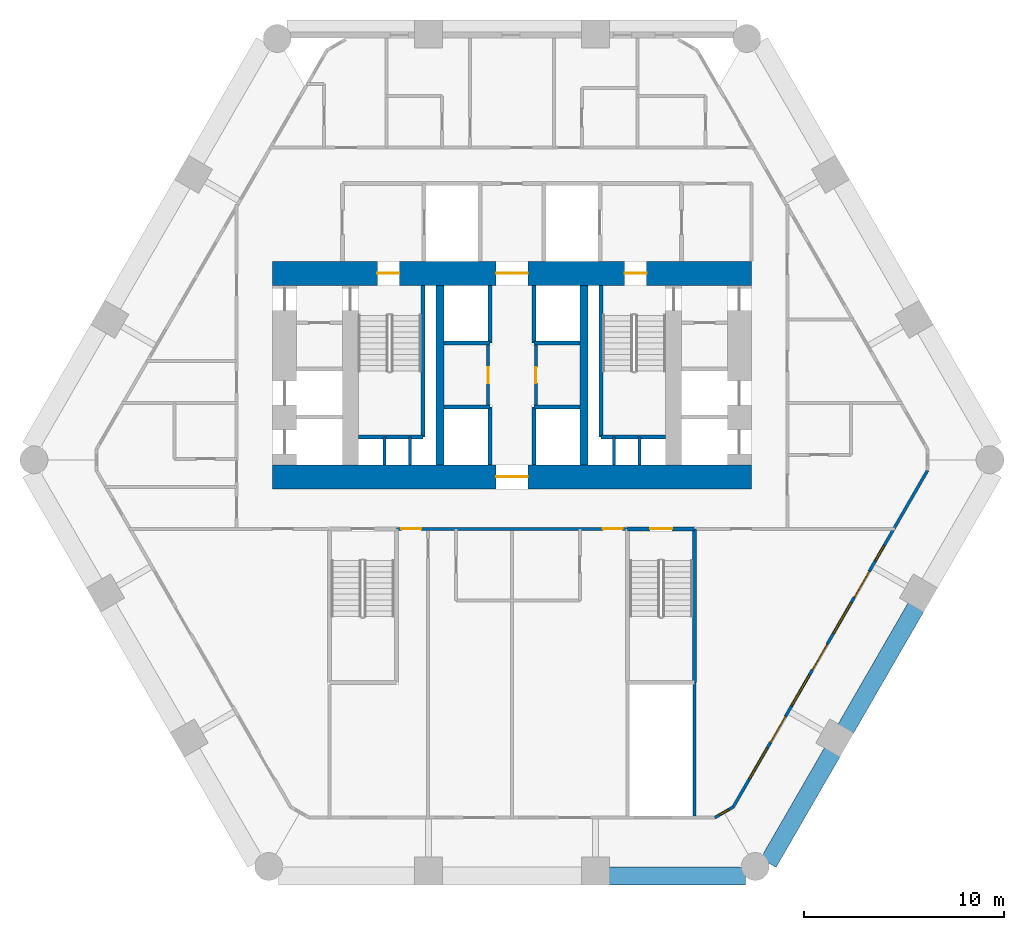
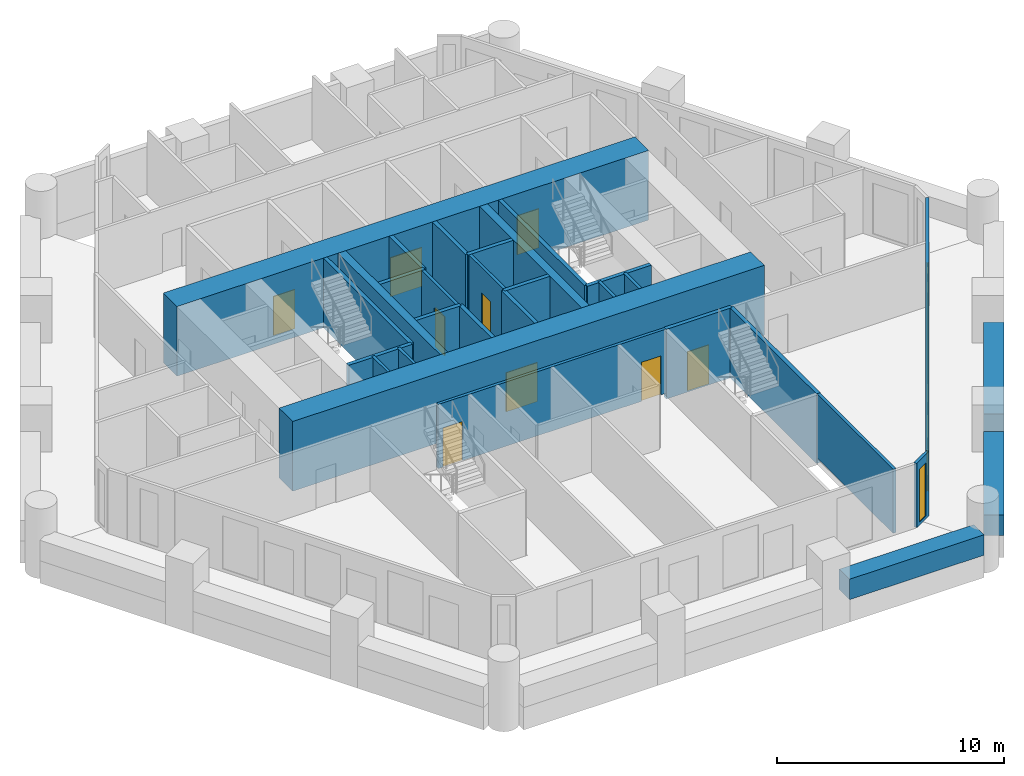
# One storey, part 4 of 8: 31 walls, 12 doors, 5 windows, 17 openings.
"""IFC4 building model written with IfcOpenShell, lengths in metres."""

from ifc_helpers import new_model, si_unit, direction, frame, frame_2d, origin, place, context, subcontext, project, spatial, rectangle, extrude, material, layer, layer_set, type_object, element, fill, save


model = new_model("IFC4")

# Units and contexts
model_context = context("Model", 3, precision=1e-05, world=origin(), true_north=direction((0.0, 1.0)))
body_context = subcontext(model_context, "Body", "Model", "MODEL_VIEW")
ifc_project = project(units=[si_unit("LENGTHUNIT", "METRE"), si_unit("AREAUNIT", "SQUARE_METRE"), si_unit("VOLUMEUNIT", "CUBIC_METRE"), si_unit("PLANEANGLEUNIT", "RADIAN"), si_unit("MASSUNIT", "GRAM", prefix="KILO")], contexts=[model_context])

# Site, building, storey
site_placement = place(None, origin())
site = spatial("IfcSite", under=ifc_project, at=site_placement, CompositionType="ELEMENT")
building_placement = place(site_placement, origin())
building = spatial("IfcBuilding", under=site, at=building_placement, Name="Ostrander Bayou Hotel Tower", CompositionType="ELEMENT")
storey_placement = place(building_placement, frame((0.0, 0.0, 43.0)))
storey = spatial("IfcBuildingStorey", under=building, at=storey_placement, Name="L10", CompositionType="ELEMENT", Elevation=43.0)

# Wall, opening, door
ifc_material_1 = material(Name="Concrete f'c 70 MPa", Category="concrete")
ifc_layer_1 = layer(ifc_material_1, 1.199951171875)
ifc_layer_set_1 = layer_set([ifc_layer_1], Name="CW1 core wall 1200 mm f'c 70 MPa")
wall_type_1 = type_object("IfcWallType", Name="CW1 core wall 1200 mm f'c 70 MPa", PredefinedType="SHEAR", material=ifc_layer_set_1)
wall_1_placement = place(storey_placement, frame((-12.0, -1.10009765625, -0.300048828125), z_axis=(0.0, 0.0, 1.0), x_axis=(1.0, 0.0, 0.0)))
wall_1 = element("IfcWall", 1, at=wall_1_placement, inside=storey, type_object=wall_type_1, Name="CW1 L10 S", PredefinedType="SHEAR", context=body_context, shape_type="SweptSolid", body=[
    extrude(rectangle(XDim=24.0, YDim=1.199951171875, at=frame_2d((12.0, 0.0))), origin(), (0.0, 0.0, 1.0), 3.75),
])
opening_1_placement = place(wall_1_placement, frame((11.199951171875, 0.0, 0.0)))
opening_1 = element("IfcOpeningElement", 2, at=opening_1_placement, cuts=wall_1, Name="Opening T09-001", PredefinedType="OPENING", context=body_context, shape_type="SweptSolid", body=[
    extrude(rectangle(XDim=1.60009765625, YDim=2.10009765625, at=frame_2d((0.800048828125, 1.050048828125))), frame((0.0, 0.60009765625, 0.0), z_axis=(0.0, -1.0, 0.0), x_axis=(1.0, 0.0, 0.0)), (0.0, 0.0, 1.0), 1.199951171875),
])
ifc_material_2 = material(Name="Timber door leaf", Category="wood")
door_type_1 = type_object("IfcDoorType", Name="D13 double door 1600 x 2100 mm, 1 hour", OperationType="SINGLE_SWING_LEFT", PredefinedType="DOOR", material=ifc_material_2)
door_1_placement = place(opening_1_placement, origin())
door_1 = element("IfcDoor", 3, at=door_1_placement, inside=storey, type_object=door_type_1, Name="dr:L10:001", OperationType="DOUBLE_DOOR_SINGLE_SWING", OverallHeight=2.10009765625, OverallWidth=1.60009765625, PredefinedType="DOOR", context=body_context, shape_type="SweptSolid", body=[
    extrude(rectangle(XDim=1.60009765625, YDim=2.10009765625, at=frame_2d((0.800048828125, 1.050048828125))), frame((0.0, 0.02490234375, 0.0), z_axis=(0.0, -1.0, 0.0), x_axis=(1.0, 0.0, 0.0)), (0.0, 0.0, 1.0), 0.050048828125),
])
fill(opening_1, door_1)

# Wall, openings, doors
wall_2_placement = place(storey_placement, frame((-12.0, 9.10009765625, -0.300048828125), z_axis=(0.0, 0.0, 1.0), x_axis=(1.0, 0.0, 0.0)))
wall_2 = element("IfcWall", 4, at=wall_2_placement, inside=storey, type_object=wall_type_1, Name="CW1 L10 N", PredefinedType="SHEAR", context=body_context, shape_type="SweptSolid", body=[
    extrude(rectangle(XDim=24.0, YDim=1.199951171875, at=frame_2d((12.0, 0.0))), origin(), (0.0, 0.0, 1.0), 3.75),
])
opening_2_placement = place(wall_2_placement, frame((11.199951171875, 0.0, 0.0)))
opening_2 = element("IfcOpeningElement", 5, at=opening_2_placement, cuts=wall_2, Name="Opening T09-002", PredefinedType="OPENING", context=body_context, shape_type="SweptSolid", body=[
    extrude(rectangle(XDim=1.60009765625, YDim=2.10009765625, at=frame_2d((0.800048828125, 1.050048828125))), frame((0.0, 0.60009765625, 0.0), z_axis=(0.0, -1.0, 0.0), x_axis=(1.0, 0.0, 0.0)), (0.0, 0.0, 1.0), 1.199951171875),
])
opening_3_placement = place(wall_2_placement, frame((5.25, 0.0, 0.0)))
opening_3 = element("IfcOpeningElement", 6, at=opening_3_placement, cuts=wall_2, Name="Opening T09-003", PredefinedType="OPENING", context=body_context, shape_type="SweptSolid", body=[
    extrude(rectangle(XDim=1.10009765625, YDim=2.10009765625, at=frame_2d((0.550048828125, 1.050048828125))), frame((0.0, 0.60009765625, 0.0), z_axis=(0.0, -1.0, 0.0), x_axis=(1.0, 0.0, 0.0)), (0.0, 0.0, 1.0), 1.199951171875),
])
opening_4_placement = place(wall_2_placement, frame((17.64990234375, 0.0, 0.0)))
opening_4 = element("IfcOpeningElement", 7, at=opening_4_placement, cuts=wall_2, Name="Opening T09-005", PredefinedType="OPENING", context=body_context, shape_type="SweptSolid", body=[
    extrude(rectangle(XDim=1.10009765625, YDim=2.10009765625, at=frame_2d((0.550048828125, 1.050048828125))), frame((0.0, 0.60009765625, 0.0), z_axis=(0.0, -1.0, 0.0), x_axis=(1.0, 0.0, 0.0)), (0.0, 0.0, 1.0), 1.199951171875),
])
door_2_placement = place(opening_2_placement, origin())
door_2 = element("IfcDoor", 8, at=door_2_placement, inside=storey, type_object=door_type_1, Name="dr:L10:002", OperationType="DOUBLE_DOOR_SINGLE_SWING", OverallHeight=2.10009765625, OverallWidth=1.60009765625, PredefinedType="DOOR", context=body_context, shape_type="SweptSolid", body=[
    extrude(rectangle(XDim=1.60009765625, YDim=2.10009765625, at=frame_2d((0.800048828125, 1.050048828125))), frame((0.0, 0.02490234375, 0.0), z_axis=(0.0, -1.0, 0.0), x_axis=(1.0, 0.0, 0.0)), (0.0, 0.0, 1.0), 0.050048828125),
])
fill(opening_2, door_2)
ifc_material_3 = material(Name="Timber door leaf", Category="wood")
door_type_2 = type_object("IfcDoorType", Name="D5 stair door 1100 x 2100 mm, 90 minute", OperationType="SINGLE_SWING_LEFT", PredefinedType="DOOR", material=ifc_material_3)
door_3_placement = place(opening_3_placement, origin())
door_3 = element("IfcDoor", 9, at=door_3_placement, inside=storey, type_object=door_type_2, Name="dr:L10:003", OperationType="SINGLE_SWING_LEFT", OverallHeight=2.10009765625, OverallWidth=1.10009765625, PredefinedType="DOOR", context=body_context, shape_type="SweptSolid", body=[
    extrude(rectangle(XDim=1.10009765625, YDim=2.10009765625, at=frame_2d((0.550048828125, 1.050048828125))), frame((0.0, 0.02490234375, 0.0), z_axis=(0.0, -1.0, 0.0), x_axis=(1.0, 0.0, 0.0)), (0.0, 0.0, 1.0), 0.050048828125),
])
fill(opening_3, door_3)
door_4_placement = place(opening_4_placement, origin())
door_4 = element("IfcDoor", 10, at=door_4_placement, inside=storey, type_object=door_type_2, Name="dr:L10:005", OperationType="SINGLE_SWING_RIGHT", OverallHeight=2.10009765625, OverallWidth=1.10009765625, PredefinedType="DOOR", context=body_context, shape_type="SweptSolid", body=[
    extrude(rectangle(XDim=1.10009765625, YDim=2.10009765625, at=frame_2d((0.550048828125, 1.050048828125))), frame((0.0, 0.02490234375, 0.0), z_axis=(0.0, -1.0, 0.0), x_axis=(1.0, 0.0, 0.0)), (0.0, 0.0, 1.0), 0.050048828125),
])
fill(opening_4, door_4)

# Walls
ifc_material_4 = material(Name="Concrete f'c 70 MPa", Category="concrete")
ifc_layer_2 = layer(ifc_material_4, 0.39990234375)
ifc_layer_set_2 = layer_set([ifc_layer_2], Name="CW3 core bank wall 400 mm f'c 70 MPa")
wall_type_2 = type_object("IfcWallType", Name="CW3 core bank wall 400 mm f'c 70 MPa", PredefinedType="SHEAR", material=ifc_layer_set_2)
for number, where, z_axis, x_axis, name in (
    (11, (-3.60009765625, -0.5, -0.300048828125), (0.0, 0.0, 1.0), (0.0, 1.0, 0.0), "CW3 L10 CW"),
    (12, (3.60009765625, -0.5, -0.300048828125), (0.0, 0.0, 1.0), (0.0, 1.0, 0.0), "CW3 L10 CE"),
):
    element("IfcWall", number, at=place(storey_placement, frame(where, z_axis=z_axis, x_axis=x_axis)), inside=storey, type_object=wall_type_2, Name=name, PredefinedType="SHEAR", context=body_context, shape_type="SweptSolid", body=[
        extrude(rectangle(XDim=9.0, YDim=0.39990234375, at=frame_2d((4.5, 0.0))), origin(), (0.0, 0.0, 1.0), 3.75),
    ])

# Wall, openings, doors, windows
ifc_material_5 = material(Name="Aluminium framed insulated wall", Category="aluminium")
ifc_layer_3 = layer(ifc_material_5, 0.14990234375)
ifc_layer_set_3 = layer_set([ifc_layer_3], Name="GW1 glass-line wall 150 mm")
wall_type_3 = type_object("IfcWallType", Name="GW1 glass-line wall 150 mm", PredefinedType="SOLIDWALL", material=ifc_layer_set_3)
wall_3_placement = place(storey_placement, frame((11.0869140625, -17.64697265625, 0.0), z_axis=(0.0, 0.0, 1.0), x_axis=(0.499999841607, 0.866025495233, 0.0)))
wall_3 = element("IfcWall", 13, at=wall_3_placement, inside=storey, type_object=wall_type_3, Name="GW1 L10 SE 1", PredefinedType="SOLIDWALL", context=body_context, shape_type="SweptSolid", body=[
    extrude(rectangle(XDim=19.478515625, YDim=0.14990234375, at=frame_2d((9.7392578125, 0.0))), origin(), (0.0, 0.0, 1.0), 3.449951171875),
])
opening_5_placement = place(wall_3_placement, frame((1.639404296875, 0.0, 0.14990234375)))
opening_5 = element("IfcOpeningElement", 14, at=opening_5_placement, cuts=wall_3, Name="Opening W1", PredefinedType="OPENING", context=body_context, shape_type="SweptSolid", body=[
    extrude(rectangle(XDim=1.800048828125, YDim=2.85009765625, at=frame_2d((0.89990234375, 1.425048828125))), frame((0.0, 0.074951171875, 0.0), z_axis=(0.0, -1.0, 0.0), x_axis=(1.0, 0.0, 0.0)), (0.0, 0.0, 1.0), 0.14990234375),
])
opening_6_placement = place(wall_3_placement, frame((3.7392578125, 0.0, 0.0)))
opening_6 = element("IfcOpeningElement", 15, at=opening_6_placement, cuts=wall_3, Name="Opening T09-805", PredefinedType="OPENING", context=body_context, shape_type="SweptSolid", body=[
    extrude(rectangle(XDim=1.5, YDim=2.39990234375, at=frame_2d((0.75, 1.199951171875))), frame((0.0, 0.074951171875, 0.0), z_axis=(0.0, -1.0, 0.0), x_axis=(1.0, 0.0, 0.0)), (0.0, 0.0, 1.0), 0.14990234375),
])
opening_7_placement = place(wall_3_placement, frame((5.83935546875, 0.0, 0.14990234375)))
opening_7 = element("IfcOpeningElement", 16, at=opening_7_placement, cuts=wall_3, Name="Opening W1", PredefinedType="OPENING", context=body_context, shape_type="SweptSolid", body=[
    extrude(rectangle(XDim=1.800048828125, YDim=2.85009765625, at=frame_2d((0.89990234375, 1.425048828125))), frame((0.0, 0.074951171875, 0.0), z_axis=(0.0, -1.0, 0.0), x_axis=(1.0, 0.0, 0.0)), (0.0, 0.0, 1.0), 0.14990234375),
])
opening_8_placement = place(wall_3_placement, frame((7.939208984375, 0.0, 0.0)))
opening_8 = element("IfcOpeningElement", 17, at=opening_8_placement, cuts=wall_3, Name="Opening T09-806", PredefinedType="OPENING", context=body_context, shape_type="SweptSolid", body=[
    extrude(rectangle(XDim=1.5, YDim=2.39990234375, at=frame_2d((0.75, 1.199951171875))), frame((0.0, 0.074951171875, 0.0), z_axis=(0.0, -1.0, 0.0), x_axis=(1.0, 0.0, 0.0)), (0.0, 0.0, 1.0), 0.14990234375),
])
opening_9_placement = place(wall_3_placement, frame((10.039306640625, 0.0, 0.14990234375)))
opening_9 = element("IfcOpeningElement", 18, at=opening_9_placement, cuts=wall_3, Name="Opening W1", PredefinedType="OPENING", context=body_context, shape_type="SweptSolid", body=[
    extrude(rectangle(XDim=1.800048828125, YDim=2.85009765625, at=frame_2d((0.89990234375, 1.425048828125))), frame((0.0, 0.074951171875, 0.0), z_axis=(0.0, -1.0, 0.0), x_axis=(1.0, 0.0, 0.0)), (0.0, 0.0, 1.0), 0.14990234375),
])
opening_10_placement = place(wall_3_placement, frame((12.139404296875, 0.0, 0.0)))
opening_10 = element("IfcOpeningElement", 19, at=opening_10_placement, cuts=wall_3, Name="Opening T09-807", PredefinedType="OPENING", context=body_context, shape_type="SweptSolid", body=[
    extrude(rectangle(XDim=1.5, YDim=2.39990234375, at=frame_2d((0.75, 1.199951171875))), frame((0.0, 0.074951171875, 0.0), z_axis=(0.0, -1.0, 0.0), x_axis=(1.0, 0.0, 0.0)), (0.0, 0.0, 1.0), 0.14990234375),
])
opening_11_placement = place(wall_3_placement, frame((14.2392578125, 0.0, 0.14990234375)))
opening_11 = element("IfcOpeningElement", 20, at=opening_11_placement, cuts=wall_3, Name="Opening W15", PredefinedType="OPENING", context=body_context, shape_type="SweptSolid", body=[
    extrude(rectangle(XDim=0.89990234375, YDim=2.85009765625, at=frame_2d((0.449951171875, 1.425048828125))), frame((0.0, 0.074951171875, 0.0), z_axis=(0.0, -1.0, 0.0), x_axis=(1.0, 0.0, 0.0)), (0.0, 0.0, 1.0), 0.14990234375),
])
ifc_material_6 = material(Name="Aluminium and clear glass", Category="aluminium")
door_type_3 = type_object("IfcDoorType", Name="SD1 sliding glass door 1500 mm, zone 1", OperationType="SLIDING_TO_LEFT", PredefinedType="DOOR", material=ifc_material_6)
door_5_placement = place(opening_6_placement, origin())
door_5 = element("IfcDoor", 21, at=door_5_placement, inside=storey, type_object=door_type_3, Name="SD1 L10 SE 1", OperationType="SLIDING_TO_LEFT", OverallHeight=2.39990234375, OverallWidth=1.5, PredefinedType="DOOR", context=body_context, shape_type="SweptSolid", body=[
    extrude(rectangle(XDim=1.5, YDim=2.39990234375, at=frame_2d((0.75, 1.199951171875))), frame((0.0, 0.02490234375, 0.0), z_axis=(0.0, -1.0, 0.0), x_axis=(1.0, 0.0, 0.0)), (0.0, 0.0, 1.0), 0.050048828125),
])
fill(opening_6, door_5)
door_6_placement = place(opening_8_placement, origin())
door_6 = element("IfcDoor", 22, at=door_6_placement, inside=storey, type_object=door_type_3, Name="SD1 L10 SE 2", OperationType="SLIDING_TO_RIGHT", OverallHeight=2.39990234375, OverallWidth=1.5, PredefinedType="DOOR", context=body_context, shape_type="SweptSolid", body=[
    extrude(rectangle(XDim=1.5, YDim=2.39990234375, at=frame_2d((0.75, 1.199951171875))), frame((0.0, 0.02490234375, 0.0), z_axis=(0.0, -1.0, 0.0), x_axis=(1.0, 0.0, 0.0)), (0.0, 0.0, 1.0), 0.050048828125),
])
fill(opening_8, door_6)
door_7_placement = place(opening_10_placement, origin())
door_7 = element("IfcDoor", 23, at=door_7_placement, inside=storey, type_object=door_type_3, Name="SD1 L10 SE 3", OperationType="SLIDING_TO_LEFT", OverallHeight=2.39990234375, OverallWidth=1.5, PredefinedType="DOOR", context=body_context, shape_type="SweptSolid", body=[
    extrude(rectangle(XDim=1.5, YDim=2.39990234375, at=frame_2d((0.75, 1.199951171875))), frame((0.0, 0.02490234375, 0.0), z_axis=(0.0, -1.0, 0.0), x_axis=(1.0, 0.0, 0.0)), (0.0, 0.0, 1.0), 0.050048828125),
])
fill(opening_10, door_7)
ifc_material_7 = material(Name="Aluminium and clear glass", Category="aluminium")
window_type_1 = type_object("IfcWindowType", Name="W1 fixed window 1800 mm, zone 1", PartitioningType="SINGLE_PANEL", PredefinedType="WINDOW", material=ifc_material_7)
window_1_placement = place(opening_5_placement, origin())
window_1 = element("IfcWindow", 24, at=window_1_placement, inside=storey, type_object=window_type_1, Name="W1 L10 SE 1", OverallHeight=2.85009765625, OverallWidth=1.800048828125, PartitioningType="SINGLE_PANEL", PredefinedType="WINDOW", context=body_context, shape_type="SweptSolid", body=[
    extrude(rectangle(XDim=1.800048828125, YDim=2.85009765625, at=frame_2d((0.89990234375, 1.425048828125))), frame((0.0, 0.030029296875, 0.0), z_axis=(0.0, -1.0, 0.0), x_axis=(1.0, 0.0, 0.0)), (0.0, 0.0, 1.0), 0.06005859375),
])
fill(opening_5, window_1)
window_2_placement = place(opening_7_placement, origin())
window_2 = element("IfcWindow", 25, at=window_2_placement, inside=storey, type_object=window_type_1, Name="W1 L10 SE 2", OverallHeight=2.85009765625, OverallWidth=1.800048828125, PartitioningType="SINGLE_PANEL", PredefinedType="WINDOW", context=body_context, shape_type="SweptSolid", body=[
    extrude(rectangle(XDim=1.800048828125, YDim=2.85009765625, at=frame_2d((0.89990234375, 1.425048828125))), frame((0.0, 0.030029296875, 0.0), z_axis=(0.0, -1.0, 0.0), x_axis=(1.0, 0.0, 0.0)), (0.0, 0.0, 1.0), 0.06005859375),
])
fill(opening_7, window_2)
window_3_placement = place(opening_9_placement, origin())
window_3 = element("IfcWindow", 26, at=window_3_placement, inside=storey, type_object=window_type_1, Name="W1 L10 SE 3", OverallHeight=2.85009765625, OverallWidth=1.800048828125, PartitioningType="SINGLE_PANEL", PredefinedType="WINDOW", context=body_context, shape_type="SweptSolid", body=[
    extrude(rectangle(XDim=1.800048828125, YDim=2.85009765625, at=frame_2d((0.89990234375, 1.425048828125))), frame((0.0, 0.030029296875, 0.0), z_axis=(0.0, -1.0, 0.0), x_axis=(1.0, 0.0, 0.0)), (0.0, 0.0, 1.0), 0.06005859375),
])
fill(opening_9, window_3)
ifc_material_8 = material(Name="Aluminium and clear glass", Category="aluminium")
window_type_2 = type_object("IfcWindowType", Name="W15 window 900 mm, zone 1", PartitioningType="SINGLE_PANEL", PredefinedType="WINDOW", material=ifc_material_8)
window_4_placement = place(opening_11_placement, origin())
window_4 = element("IfcWindow", 27, at=window_4_placement, inside=storey, type_object=window_type_2, Name="W15 L10 SE 4", OverallHeight=2.85009765625, OverallWidth=0.89990234375, PartitioningType="SINGLE_PANEL", PredefinedType="WINDOW", context=body_context, shape_type="SweptSolid", body=[
    extrude(rectangle(XDim=0.89990234375, YDim=2.85009765625, at=frame_2d((0.449951171875, 1.425048828125))), frame((0.0, 0.030029296875, 0.0), z_axis=(0.0, -1.0, 0.0), x_axis=(1.0, 0.0, 0.0)), (0.0, 0.0, 1.0), 0.06005859375),
])
fill(opening_11, window_4)

# Wall, opening, window
wall_4_placement = place(storey_placement, frame((10.16455078125, -18.179443359375, 0.0), z_axis=(0.0, 0.0, 1.0), x_axis=(0.866048165231, 0.499960573946, 0.0)))
wall_4 = element("IfcWall", 28, at=wall_4_placement, inside=storey, type_object=wall_type_3, Name="GW1 L10 corner 4", PredefinedType="SOLIDWALL", context=body_context, shape_type="SweptSolid", body=[
    extrude(rectangle(XDim=1.06494140625, YDim=0.14990234375, at=frame_2d((0.532470703125, 0.0))), origin(), (0.0, 0.0, 1.0), 3.449951171875),
])
opening_12_placement = place(wall_4_placement, frame((0.257568359375, 0.0, 0.14990234375)))
opening_12 = element("IfcOpeningElement", 29, at=opening_12_placement, cuts=wall_4, Name="Opening W19", PredefinedType="OPENING", context=body_context, shape_type="SweptSolid", body=[
    extrude(rectangle(XDim=0.550048828125, YDim=2.85009765625, at=frame_2d((0.27490234375, 1.425048828125))), frame((0.0, 0.074951171875, 0.0), z_axis=(0.0, -1.0, 0.0), x_axis=(1.0, 0.0, 0.0)), (0.0, 0.0, 1.0), 0.14990234375),
])
ifc_material_9 = material(Name="Aluminium and clear glass", Category="aluminium")
window_type_3 = type_object("IfcWindowType", Name="W19 corner window 550 mm", PartitioningType="SINGLE_PANEL", PredefinedType="WINDOW", material=ifc_material_9)
window_5_placement = place(opening_12_placement, origin())
window_5 = element("IfcWindow", 30, at=window_5_placement, inside=storey, type_object=window_type_3, Name="W19 L10 corner 4", OverallHeight=2.85009765625, OverallWidth=0.550048828125, PartitioningType="SINGLE_PANEL", PredefinedType="WINDOW", context=body_context, shape_type="SweptSolid", body=[
    extrude(rectangle(XDim=0.550048828125, YDim=2.85009765625, at=frame_2d((0.27490234375, 1.425048828125))), frame((0.0, 0.030029296875, 0.0), z_axis=(0.0, -1.0, 0.0), x_axis=(1.0, 0.0, 0.0)), (0.0, 0.0, 1.0), 0.06005859375),
])
fill(opening_12, window_5)

# Walls
ifc_material_10 = material(Name="Concrete f'c 40 MPa", Category="concrete")
ifc_layer_4 = layer(ifc_material_10, 0.89990234375)
ifc_layer_set_4 = layer_set([ifc_layer_4], Name="PA1 stone-faced parapet 900 mm")
wall_type_4 = type_object("IfcWallType", Name="PA1 stone-faced parapet 900 mm", PredefinedType="PARAPET", material=ifc_layer_set_4)
wall_5_placement = place(storey_placement, frame((4.865478515625, -21.1044921875, 0.0), z_axis=(0.0, 0.0, 1.0), x_axis=(1.0, 0.0, 0.0)))
element("IfcWall", 31, at=wall_5_placement, inside=storey, type_object=wall_type_4, Name="PA1 L10 S-3", PredefinedType="PARAPET", context=body_context, shape_type="SweptSolid", body=[
    extrude(rectangle(XDim=6.84521484375, YDim=0.89990234375, at=frame_2d((3.422607421875, 0.0))), origin(), (0.0, 0.0, 1.0), 1.10009765625),
])
ifc_material_11 = material(Name="Limestone masonry", Category="masonry")
ifc_layer_5 = layer(ifc_material_11, 0.89990234375)
ifc_layer_set_5 = layer_set([ifc_layer_5], Name="PA2 limestone parapet 900 mm")
wall_type_5 = type_object("IfcWallType", Name="PA2 limestone parapet 900 mm", PredefinedType="PARAPET", material=ifc_layer_set_5)
wall_6_placement = place(storey_placement, frame((12.846923828125, -20.448486328125, 0.0), z_axis=(0.0, 0.0, 1.0), x_axis=(0.500000066162, 0.866025365586, 0.0)))
element("IfcWall", 32, at=wall_6_placement, inside=storey, type_object=wall_type_5, Name="PA2 L10 SE-1", PredefinedType="PARAPET", context=body_context, shape_type="SweptSolid", body=[
    extrude(rectangle(XDim=6.419921875, YDim=0.89990234375, at=frame_2d((3.2099609375, 0.0))), origin(), (0.0, 0.0, 1.0), 1.10009765625),
])
wall_7_placement = place(storey_placement, frame((16.726806640625, -13.72802734375, 0.0), z_axis=(0.0, 0.0, 1.0), x_axis=(0.499997206141, 0.866027016814, 0.0)))
element("IfcWall", 33, at=wall_7_placement, inside=storey, type_object=wall_type_5, Name="PA2 L10 SE-2", PredefinedType="PARAPET", context=body_context, shape_type="SweptSolid", body=[
    extrude(rectangle(XDim=7.05078125, YDim=0.89990234375, at=frame_2d((3.525390625, 0.0))), origin(), (0.0, 0.0, 1.0), 1.10009765625),
])
ifc_material_12 = material(Name="Masonry block", Category="masonry")
ifc_layer_6 = layer(ifc_material_12, 0.199951171875)
ifc_layer_set_6 = layer_set([ifc_layer_6], Name="PT6 lift shaft wall 200 mm masonry, 2 hour")
wall_type_6 = type_object("IfcWallType", Name="PT6 lift shaft wall 200 mm masonry, 2 hour", PredefinedType="PARTITIONING", material=ifc_layer_set_6)
for number, where, z_axis, x_axis, name in (
    (34, (-3.39990234375, 2.39990234375, 0.0), (0.0, 0.0, 1.0), (1.0, 0.0, 0.0), "cs:L10:001"),
    (35, (-3.39990234375, 5.60009765625, 0.0), (0.0, 0.0, 1.0), (1.0, 0.0, 0.0), "cs:L10:002"),
    (36, (1.10009765625, 2.39990234375, 0.0), (0.0, 0.0, 1.0), (1.0, 0.0, 0.0), "cs:L10:003"),
    (37, (1.10009765625, 5.60009765625, 0.0), (0.0, 0.0, 1.0), (1.0, 0.0, 0.0), "cs:L10:004"),
):
    element("IfcWall", number, at=place(storey_placement, frame(where, z_axis=z_axis, x_axis=x_axis)), inside=storey, type_object=wall_type_6, Name=name, PredefinedType="PARTITIONING", context=body_context, shape_type="SweptSolid", body=[
        extrude(rectangle(XDim=2.2998046875, YDim=0.199951171875, at=frame_2d((1.14990234375, 0.0))), origin(), (0.0, 0.0, 1.0), 3.449951171875),
    ])
for number, where, z_axis, x_axis, name in (
    (38, (-1.10009765625, -0.5, 0.0), (0.0, 0.0, 1.0), (0.0, 1.0, 0.0), "cs:L10:005"),
    (39, (1.10009765625, -0.5, 0.0), (0.0, 0.0, 1.0), (0.0, 1.0, 0.0), "cs:L10:006"),
    (40, (-1.10009765625, 5.60009765625, 0.0), (0.0, 0.0, 1.0), (0.0, 1.0, 0.0), "cs:L10:007"),
    (41, (1.10009765625, 5.60009765625, 0.0), (0.0, 0.0, 1.0), (0.0, 1.0, 0.0), "cs:L10:008"),
):
    element("IfcWall", number, at=place(storey_placement, frame(where, z_axis=z_axis, x_axis=x_axis)), inside=storey, type_object=wall_type_6, Name=name, PredefinedType="PARTITIONING", context=body_context, shape_type="SweptSolid", body=[
        extrude(rectangle(XDim=2.89990234375, YDim=0.199951171875, at=frame_2d((1.449951171875, 0.0))), origin(), (0.0, 0.0, 1.0), 3.449951171875),
    ])
ifc_material_13 = material(Name="Gypsum board partition", Category="finish")
ifc_layer_7 = layer(ifc_material_13, 0.14990234375)
ifc_layer_set_7 = layer_set([ifc_layer_7], Name="PT7 riser wall 150 mm, 2 hour")
wall_type_7 = type_object("IfcWallType", Name="PT7 riser wall 150 mm, 2 hour", PredefinedType="PARTITIONING", material=ifc_layer_set_7)
for number, where, z_axis, x_axis, name in (
    (42, (-6.39990234375, -0.5, 0.0), (0.0, 0.0, 1.0), (0.0, 1.0, 0.0), "cs:L10:011"),
    (43, (-5.10009765625, -0.5, 0.0), (0.0, 0.0, 1.0), (0.0, 1.0, 0.0), "cs:L10:012"),
    (44, (5.10009765625, -0.5, 0.0), (0.0, 0.0, 1.0), (0.0, 1.0, 0.0), "cs:L10:015"),
    (45, (6.39990234375, -0.5, 0.0), (0.0, 0.0, 1.0), (0.0, 1.0, 0.0), "cs:L10:016"),
):
    element("IfcWall", number, at=place(storey_placement, frame(where, z_axis=z_axis, x_axis=x_axis)), inside=storey, type_object=wall_type_7, Name=name, PredefinedType="PARTITIONING", context=body_context, shape_type="SweptSolid", body=[
        extrude(rectangle(XDim=1.39990234375, YDim=0.14990234375, at=frame_2d((0.699951171875, 0.0))), origin(), (0.0, 0.0, 1.0), 3.449951171875),
    ])
wall_8_placement = place(storey_placement, frame((9.14990234375, -11.39990234375, 0.0), z_axis=(0.0, 0.0, 1.0), x_axis=(0.0, -1.0, 0.0)))
element("IfcWall", 46, at=wall_8_placement, inside=storey, type_object=wall_type_7, Name="cs:L10:022", PredefinedType="PARTITIONING", context=body_context, shape_type="SweptSolid", body=[
    extrude(rectangle(XDim=6.70458984375, YDim=0.14990234375, at=frame_2d((3.352294921875, 0.0))), origin(), (0.0, 0.0, 1.0), 3.449951171875),
])

# Wall, opening, door
wall_9_placement = place(storey_placement, frame((-1.199951171875, 2.5, 0.0), z_axis=(0.0, 0.0, 1.0), x_axis=(0.0, 1.0, 0.0)))
wall_9 = element("IfcWall", 47, at=wall_9_placement, inside=storey, type_object=wall_type_7, Name="cs:L10:034", PredefinedType="PARTITIONING", context=body_context, shape_type="SweptSolid", body=[
    extrude(rectangle(XDim=3.0, YDim=0.14990234375, at=frame_2d((1.5, 0.0))), origin(), (0.0, 0.0, 1.0), 3.449951171875),
])
opening_13_placement = place(wall_9_placement, frame((1.10009765625, 0.0, 0.0)))
opening_13 = element("IfcOpeningElement", 48, at=opening_13_placement, cuts=wall_9, Name="Opening T09-014", PredefinedType="OPENING", context=body_context, shape_type="SweptSolid", body=[
    extrude(rectangle(XDim=0.800048828125, YDim=2.10009765625, at=frame_2d((0.39990234375, 1.050048828125))), frame((0.0, 0.074951171875, 0.0), z_axis=(0.0, -1.0, 0.0), x_axis=(1.0, 0.0, 0.0)), (0.0, 0.0, 1.0), 0.14990234375),
])
ifc_material_14 = material(Name="Timber door leaf", Category="wood")
door_type_4 = type_object("IfcDoorType", Name="D6 riser door 800 x 2100 mm, 90 minute", OperationType="SINGLE_SWING_LEFT", PredefinedType="DOOR", material=ifc_material_14)
door_8_placement = place(opening_13_placement, origin())
door_8 = element("IfcDoor", 49, at=door_8_placement, inside=storey, type_object=door_type_4, Name="dr:L10:014", OperationType="SINGLE_SWING_LEFT", OverallHeight=2.10009765625, OverallWidth=0.800048828125, PredefinedType="DOOR", context=body_context, shape_type="SweptSolid", body=[
    extrude(rectangle(XDim=0.800048828125, YDim=2.10009765625, at=frame_2d((0.39990234375, 1.050048828125))), frame((0.0, 0.02490234375, 0.0), z_axis=(0.0, -1.0, 0.0), x_axis=(1.0, 0.0, 0.0)), (0.0, 0.0, 1.0), 0.050048828125),
])
fill(opening_13, door_8)

wall_10_placement = place(storey_placement, frame((1.199951171875, 2.5, 0.0), z_axis=(0.0, 0.0, 1.0), x_axis=(0.0, 1.0, 0.0)))
wall_10 = element("IfcWall", 50, at=wall_10_placement, inside=storey, type_object=wall_type_7, Name="cs:L10:035", PredefinedType="PARTITIONING", context=body_context, shape_type="SweptSolid", body=[
    extrude(rectangle(XDim=3.0, YDim=0.14990234375, at=frame_2d((1.5, 0.0))), origin(), (0.0, 0.0, 1.0), 3.449951171875),
])
opening_14_placement = place(wall_10_placement, frame((1.10009765625, 0.0, 0.0)))
opening_14 = element("IfcOpeningElement", 51, at=opening_14_placement, cuts=wall_10, Name="Opening T09-015", PredefinedType="OPENING", context=body_context, shape_type="SweptSolid", body=[
    extrude(rectangle(XDim=0.800048828125, YDim=2.10009765625, at=frame_2d((0.39990234375, 1.050048828125))), frame((0.0, 0.074951171875, 0.0), z_axis=(0.0, -1.0, 0.0), x_axis=(1.0, 0.0, 0.0)), (0.0, 0.0, 1.0), 0.14990234375),
])
door_9_placement = place(opening_14_placement, origin())
door_9 = element("IfcDoor", 52, at=door_9_placement, inside=storey, type_object=door_type_4, Name="dr:L10:015", OperationType="SINGLE_SWING_RIGHT", OverallHeight=2.10009765625, OverallWidth=0.800048828125, PredefinedType="DOOR", context=body_context, shape_type="SweptSolid", body=[
    extrude(rectangle(XDim=0.800048828125, YDim=2.10009765625, at=frame_2d((0.39990234375, 1.050048828125))), frame((0.0, 0.02490234375, 0.0), z_axis=(0.0, -1.0, 0.0), x_axis=(1.0, 0.0, 0.0)), (0.0, 0.0, 1.0), 0.050048828125),
])
fill(opening_14, door_9)

# Wall, openings, doors
ifc_material_15 = material(Name="Gypsum board partition", Category="finish")
ifc_layer_8 = layer(ifc_material_15, 0.14990234375)
ifc_layer_set_8 = layer_set([ifc_layer_8], Name="PT8 service band wall 150 mm, 1 hour")
wall_type_8 = type_object("IfcWallType", Name="PT8 service band wall 150 mm, 1 hour", PredefinedType="PARTITIONING", material=ifc_layer_set_8)
wall_11_placement = place(storey_placement, frame((-5.7900390625, -3.699951171875, 0.0), z_axis=(0.0, 0.0, 1.0), x_axis=(1.0, 0.0, 0.0)))
wall_11 = element("IfcWall", 53, at=wall_11_placement, inside=storey, type_object=wall_type_8, Name="gw:L10:003", PredefinedType="PARTITIONING", context=body_context, shape_type="SweptSolid", body=[
    extrude(rectangle(XDim=11.580078125, YDim=0.14990234375, at=frame_2d((5.7900390625, 0.0))), origin(), (0.0, 0.0, 1.0), 3.449951171875),
])
opening_15_placement = place(wall_11_placement, frame((0.239990234375, 0.0, 0.0)))
opening_15 = element("IfcOpeningElement", 54, at=opening_15_placement, cuts=wall_11, Name="Opening T09-400", PredefinedType="OPENING", context=body_context, shape_type="SweptSolid", body=[
    extrude(rectangle(XDim=1.0, YDim=2.10009765625, at=frame_2d((0.5, 1.050048828125))), frame((0.0, 0.074951171875, 0.0), z_axis=(0.0, -1.0, 0.0), x_axis=(1.0, 0.0, 0.0)), (0.0, 0.0, 1.0), 0.14990234375),
])
opening_16_placement = place(wall_11_placement, frame((10.340087890625, 0.0, 0.0)))
opening_16 = element("IfcOpeningElement", 55, at=opening_16_placement, cuts=wall_11, Name="Opening T09-404", PredefinedType="OPENING", context=body_context, shape_type="SweptSolid", body=[
    extrude(rectangle(XDim=1.0, YDim=2.10009765625, at=frame_2d((0.5, 1.050048828125))), frame((0.0, 0.074951171875, 0.0), z_axis=(0.0, -1.0, 0.0), x_axis=(1.0, 0.0, 0.0)), (0.0, 0.0, 1.0), 0.14990234375),
])
ifc_material_16 = material(Name="Timber door leaf", Category="wood")
door_type_5 = type_object("IfcDoorType", Name="D1 guest room door 1000 x 2100 mm, 30 minute", OperationType="SINGLE_SWING_LEFT", PredefinedType="DOOR", material=ifc_material_16)
door_10_placement = place(opening_15_placement, origin())
door_10 = element("IfcDoor", 56, at=door_10_placement, inside=storey, type_object=door_type_5, Name="dr:L10:400", OperationType="SINGLE_SWING_LEFT", OverallHeight=2.10009765625, OverallWidth=1.0, PredefinedType="DOOR", context=body_context, shape_type="SweptSolid", body=[
    extrude(rectangle(XDim=1.0, YDim=2.10009765625, at=frame_2d((0.5, 1.050048828125))), frame((0.0, 0.02490234375, 0.0), z_axis=(0.0, -1.0, 0.0), x_axis=(1.0, 0.0, 0.0)), (0.0, 0.0, 1.0), 0.050048828125),
])
fill(opening_15, door_10)
door_11_placement = place(opening_16_placement, origin())
door_11 = element("IfcDoor", 57, at=door_11_placement, inside=storey, type_object=door_type_5, Name="dr:L10:404", OperationType="SINGLE_SWING_RIGHT", OverallHeight=2.10009765625, OverallWidth=1.0, PredefinedType="DOOR", context=body_context, shape_type="SweptSolid", body=[
    extrude(rectangle(XDim=1.0, YDim=2.10009765625, at=frame_2d((0.5, 1.050048828125))), frame((0.0, 0.02490234375, 0.0), z_axis=(0.0, -1.0, 0.0), x_axis=(1.0, 0.0, 0.0)), (0.0, 0.0, 1.0), 0.050048828125),
])
fill(opening_16, door_11)

# Walls
ifc_material_17 = material(Name="Concrete f'c 45 MPa", Category="concrete")
ifc_layer_9 = layer(ifc_material_17, 0.199951171875)
ifc_layer_set_9 = layer_set([ifc_layer_9], Name="SW5 stair enclosure wall 200 mm f'c 45 MPa")
wall_type_9 = type_object("IfcWallType", Name="SW5 stair enclosure wall 200 mm f'c 45 MPa", PredefinedType="SOLIDWALL", material=ifc_layer_set_9)
wall_12_placement = place(storey_placement, frame((-4.449951171875, 0.89990234375, -0.300048828125), z_axis=(0.0, 0.0, 1.0), x_axis=(0.0, 1.0, 0.0)))
element("IfcWall", 58, at=wall_12_placement, inside=storey, type_object=wall_type_9, Name="cs:L10:009", PredefinedType="SOLIDWALL", context=body_context, shape_type="SweptSolid", body=[
    extrude(rectangle(XDim=7.60009765625, YDim=0.199951171875, at=frame_2d((3.800048828125, 0.0))), origin(), (0.0, 0.0, 1.0), 3.75),
])
wall_13_placement = place(storey_placement, frame((-7.699951171875, 0.89990234375, -0.300048828125), z_axis=(0.0, 0.0, 1.0), x_axis=(1.0, 0.0, 0.0)))
element("IfcWall", 59, at=wall_13_placement, inside=storey, type_object=wall_type_9, Name="cs:L10:010", PredefinedType="SOLIDWALL", context=body_context, shape_type="SweptSolid", body=[
    extrude(rectangle(XDim=3.25, YDim=0.199951171875, at=frame_2d((1.625, 0.0))), origin(), (0.0, 0.0, 1.0), 3.75),
])
wall_14_placement = place(storey_placement, frame((4.449951171875, 0.89990234375, -0.300048828125), z_axis=(0.0, 0.0, 1.0), x_axis=(0.0, 1.0, 0.0)))
element("IfcWall", 60, at=wall_14_placement, inside=storey, type_object=wall_type_9, Name="cs:L10:013", PredefinedType="SOLIDWALL", context=body_context, shape_type="SweptSolid", body=[
    extrude(rectangle(XDim=7.60009765625, YDim=0.199951171875, at=frame_2d((3.800048828125, 0.0))), origin(), (0.0, 0.0, 1.0), 3.75),
])
wall_15_placement = place(storey_placement, frame((4.449951171875, 0.89990234375, -0.300048828125), z_axis=(0.0, 0.0, 1.0), x_axis=(1.0, 0.0, 0.0)))
element("IfcWall", 61, at=wall_15_placement, inside=storey, type_object=wall_type_9, Name="cs:L10:014", PredefinedType="SOLIDWALL", context=body_context, shape_type="SweptSolid", body=[
    extrude(rectangle(XDim=3.25, YDim=0.199951171875, at=frame_2d((1.625, 0.0))), origin(), (0.0, 0.0, 1.0), 3.75),
])

# Wall, opening, door
wall_16_placement = place(storey_placement, frame((5.800048828125, -3.699951171875, -0.300048828125), z_axis=(0.0, 0.0, 1.0), x_axis=(1.0, 0.0, 0.0)))
wall_16 = element("IfcWall", 62, at=wall_16_placement, inside=storey, type_object=wall_type_9, Name="cs:L10:017", PredefinedType="SOLIDWALL", context=body_context, shape_type="SweptSolid", body=[
    extrude(rectangle(XDim=3.349853515625, YDim=0.199951171875, at=frame_2d((1.6748046875, 0.0))), origin(), (0.0, 0.0, 1.0), 3.75),
])
opening_17_placement = place(wall_16_placement, frame((1.125, 0.0, 0.0)))
opening_17 = element("IfcOpeningElement", 63, at=opening_17_placement, cuts=wall_16, Name="Opening T09-007", PredefinedType="OPENING", context=body_context, shape_type="SweptSolid", body=[
    extrude(rectangle(XDim=1.10009765625, YDim=2.10009765625, at=frame_2d((0.550048828125, 1.050048828125))), frame((0.0, 0.10009765625, 0.0), z_axis=(0.0, -1.0, 0.0), x_axis=(1.0, 0.0, 0.0)), (0.0, 0.0, 1.0), 0.199951171875),
])
door_12_placement = place(opening_17_placement, origin())
door_12 = element("IfcDoor", 64, at=door_12_placement, inside=storey, type_object=door_type_2, Name="dr:L10:007", OperationType="SINGLE_SWING_LEFT", OverallHeight=2.10009765625, OverallWidth=1.10009765625, PredefinedType="DOOR", context=body_context, shape_type="SweptSolid", body=[
    extrude(rectangle(XDim=1.10009765625, YDim=2.10009765625, at=frame_2d((0.550048828125, 1.050048828125))), frame((0.0, 0.02490234375, 0.0), z_axis=(0.0, -1.0, 0.0), x_axis=(1.0, 0.0, 0.0)), (0.0, 0.0, 1.0), 0.050048828125),
])
fill(opening_17, door_12)

# Wall
wall_17_placement = place(storey_placement, frame((9.14990234375, -3.699951171875, -0.300048828125), z_axis=(0.0, 0.0, 1.0), x_axis=(0.0, -1.0, 0.0)))
element("IfcWall", 65, at=wall_17_placement, inside=storey, type_object=wall_type_9, Name="cs:L10:019", PredefinedType="SOLIDWALL", context=body_context, shape_type="SweptSolid", body=[
    extrude(rectangle(XDim=7.699951171875, YDim=0.199951171875, at=frame_2d((3.85009765625, 0.0))), origin(), (0.0, 0.0, 1.0), 3.75),
])

save(model, "model.ifc")
